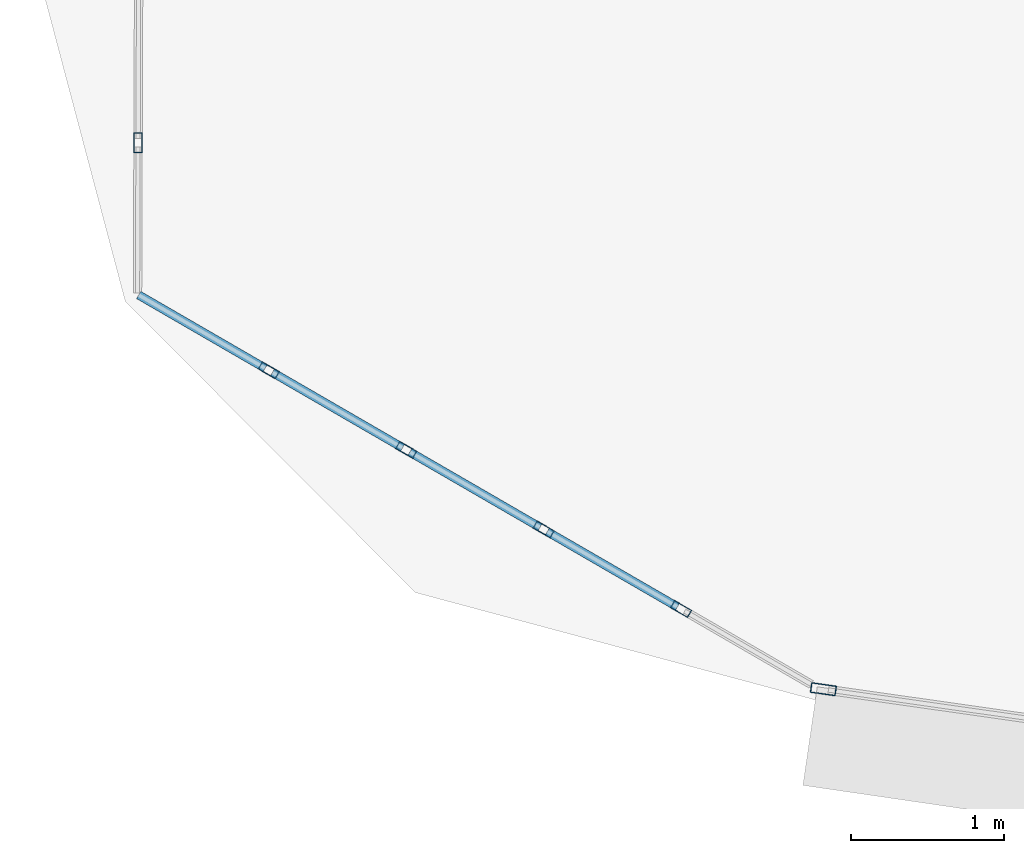
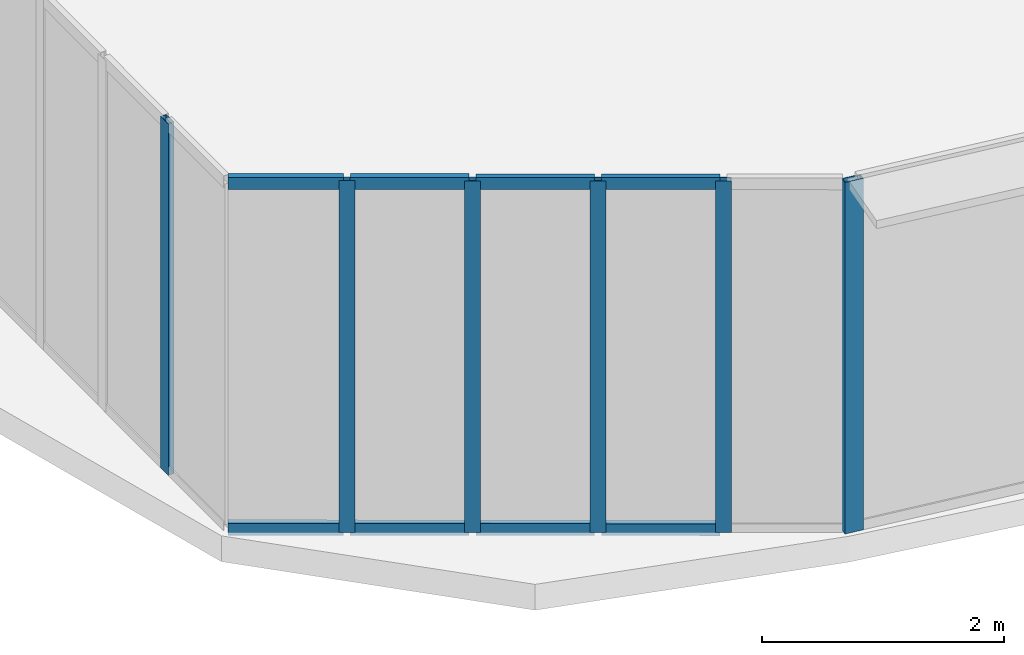
# One storey, part 2 of 39: 14 members, 3 elements without a shape of their own.
"""IFC4 building model written with IfcOpenShell, lengths in metres."""

from ifc_helpers import new_model, si_unit, direction, frame, origin, origin_2d, place, context, subcontext, project, spatial, hollow_rectangle, extrude, source, transform, mapped, material, layer, layer_set, material_profile, profile_set, type_object, element, aggregate, save


model = new_model("IFC4")

# Units and contexts
model_context = context("Model", 3, precision=1e-05, world=origin(), true_north=direction((0.0, 1.0)))
body_context = subcontext(model_context, "Body", "Model", "MODEL_VIEW")
ifc_project = project(units=[si_unit("LENGTHUNIT", "METRE"), si_unit("AREAUNIT", "SQUARE_METRE"), si_unit("VOLUMEUNIT", "CUBIC_METRE"), si_unit("PLANEANGLEUNIT", "RADIAN"), si_unit("MASSUNIT", "GRAM", prefix="KILO"), si_unit("THERMODYNAMICTEMPERATUREUNIT", "KELVIN"), si_unit("POWERUNIT", "WATT")], contexts=[model_context])

# Site, building, storey
site_placement = place(None, origin())
site = spatial("IfcSite", under=ifc_project, at=site_placement, CompositionType="ELEMENT")
building_placement = place(site_placement, origin())
building = spatial("IfcBuilding", under=site, at=building_placement, Name="Yunzhuo Pagoda Commons", CompositionType="ELEMENT")
storey_placement = place(building_placement, frame((0.0, 0.0, 96.3798828125)))
storey = spatial("IfcBuildingStorey", under=building, at=storey_placement, Name="L24", CompositionType="ELEMENT", Elevation=96.3798828125)

# Curtain wall, member
ifc_material = material(Name="Anodized aluminium 6063-T6", Category="aluminium")
ifc_layer_1 = layer(ifc_material, 0.1650390625)
ifc_layer_set_1 = layer_set([ifc_layer_1], Name="Anodized aluminium 6063-T6")
curtain_wall_type_1 = type_object("IfcCurtainWallType", Name="CW-LOW Low-Zone Ribbon Curtain Wall", PredefinedType="NOTDEFINED", material=ifc_layer_set_1)
curtain_wall_1_placement = place(storey_placement, origin())
curtain_wall_1 = element("IfcCurtainWall", 1, at=curtain_wall_1_placement, inside=storey, type_object=curtain_wall_type_1, Name="L24 curtain wall CW-L24-F1B1", PredefinedType="NOTDEFINED")
ifc_material_profile_1 = material_profile(ifc_material, hollow_rectangle(XDim=0.06494140625, YDim=0.1650390625, WallThickness=0.00390625, at=origin_2d()), Name="Anodized aluminium 6063-T6")
ifc_profile_set_1 = profile_set([ifc_material_profile_1], Name="Anodized aluminium 6063-T6")
member_type_1 = type_object("IfcMemberType", Name="CW-LOW-M Mullion RHS 165x65x4", PredefinedType="MULLION", material=ifc_profile_set_1)
shared_shape_1 = source(origin(), body_context, "Body", "SweptSolid", [
    extrude(hollow_rectangle(XDim=0.06494140625, YDim=0.1650390625, WallThickness=0.00390625, at=origin_2d()), origin(), (0.0, 0.0, 1.0), 3.5400390625),
])
member_1_placement = place(storey_placement, frame((10.7119140625, 15.32568359375, 0.0), z_axis=(0.0, 0.0, 1.0), x_axis=(0.140773671614, 0.990041803855, 0.0)))
member_1 = element("IfcMember", 2, at=member_1_placement, type_object=member_type_1, Name="CW mullion 1", PredefinedType="MULLION", context=body_context, shape_type="MappedRepresentation", body=[
    mapped(shared_shape_1, transform((0.0, 0.0, 0.0), scale=1.0)),
])
aggregate(curtain_wall_1, [member_1])

ifc_layer_2 = layer(ifc_material, 0.1298828125)
ifc_layer_set_2 = layer_set([ifc_layer_2], Name="Anodized aluminium 6063-T6")
curtain_wall_type_2 = type_object("IfcCurtainWallType", Name="CW-VTX Rounded Corner Curtain Wall", PredefinedType="NOTDEFINED", material=ifc_layer_set_2)
curtain_wall_2_placement = place(storey_placement, origin())
curtain_wall_2 = element("IfcCurtainWall", 3, at=curtain_wall_2_placement, inside=storey, type_object=curtain_wall_type_2, Name="L24 curtain wall CW-L24-VTX1S1", PredefinedType="NOTDEFINED")
ifc_material_profile_2 = material_profile(ifc_material, hollow_rectangle(XDim=0.054931640625, YDim=0.1298828125, WallThickness=0.00341796875, at=origin_2d()), Name="Anodized aluminium 6063-T6")
ifc_profile_set_2 = profile_set([ifc_material_profile_2], Name="Anodized aluminium 6063-T6")
member_type_2 = type_object("IfcMemberType", Name="CW-VTX-M Mullion RHS 130x55x3.5", PredefinedType="MULLION", material=ifc_profile_set_2)
shared_shape_2 = source(origin(), body_context, "Body", "SweptSolid", [
    extrude(hollow_rectangle(XDim=0.054931640625, YDim=0.1298828125, WallThickness=0.00341796875, at=origin_2d()), origin(), (0.0, 0.0, 1.0), 3.5400390625),
])
member_2_placement = place(storey_placement, frame((6.242431640625, 18.89013671875, 0.0), z_axis=(0.0, 0.0, 1.0), x_axis=(0.999993616843, -0.003572992237, 0.0)))
member_2 = element("IfcMember", 4, at=member_2_placement, type_object=member_type_2, Name="CW mullion 5", PredefinedType="MULLION", context=body_context, shape_type="MappedRepresentation", body=[
    mapped(shared_shape_2, transform((0.0, 0.0, 0.0), scale=1.0)),
])
aggregate(curtain_wall_2, [member_2])

# Curtain wall, members
curtain_wall_3_placement = place(storey_placement, origin())
curtain_wall_3 = element("IfcCurtainWall", 5, at=curtain_wall_3_placement, inside=storey, type_object=curtain_wall_type_2, Name="L24 curtain wall CW-L24-VTX1S2", PredefinedType="NOTDEFINED")
member_3_placement = place(storey_placement, frame((7.094970703125, 17.4052734375, 0.0), z_axis=(0.0, 0.0, 1.0), x_axis=(0.501035509214, 0.865426726249, 0.0)))
member_3 = element("IfcMember", 6, at=member_3_placement, type_object=member_type_2, Name="CW mullion 2", PredefinedType="MULLION", context=body_context, shape_type="MappedRepresentation", body=[
    mapped(shared_shape_2, transform((0.0, 0.0, 0.0), scale=1.0)),
])
member_4_placement = place(storey_placement, frame((7.9912109375, 16.886474609375, 0.0), z_axis=(0.0, 0.0, 1.0), x_axis=(0.501035509214, 0.865426726249, 0.0)))
member_4 = element("IfcMember", 7, at=member_4_placement, type_object=member_type_2, Name="CW mullion 3", PredefinedType="MULLION", context=body_context, shape_type="MappedRepresentation", body=[
    mapped(shared_shape_2, transform((0.0, 0.0, 0.0), scale=1.0)),
])
member_5_placement = place(storey_placement, frame((8.887451171875, 16.36767578125, 0.0), z_axis=(0.0, 0.0, 1.0), x_axis=(0.501035509214, 0.865426726249, 0.0)))
member_5 = element("IfcMember", 8, at=member_5_placement, type_object=member_type_2, Name="CW mullion 4", PredefinedType="MULLION", context=body_context, shape_type="MappedRepresentation", body=[
    mapped(shared_shape_2, transform((0.0, 0.0, 0.0), scale=1.0)),
])
member_6_placement = place(storey_placement, frame((9.78369140625, 15.8486328125, 0.0), z_axis=(0.0, 0.0, 1.0), x_axis=(0.501035509214, 0.865426726249, 0.0)))
member_6 = element("IfcMember", 9, at=member_6_placement, type_object=member_type_2, Name="CW mullion 5", PredefinedType="MULLION", context=body_context, shape_type="MappedRepresentation", body=[
    mapped(shared_shape_2, transform((0.0, 0.0, 0.0), scale=1.0)),
])
ifc_material_profile_3 = material_profile(ifc_material, hollow_rectangle(XDim=0.054931640625, YDim=0.1201171875, WallThickness=0.00341796875, at=origin_2d()), Name="Anodized aluminium 6063-T6")
ifc_profile_set_3 = profile_set([ifc_material_profile_3], Name="Anodized aluminium 6063-T6")
member_type_3 = type_object("IfcMemberType", Name="CW-VTX-T Transom RHS 120x55x3.5", PredefinedType="USERDEFINED", material=ifc_profile_set_3)
shared_shape_3 = source(origin(), body_context, "Body", "SweptSolid", [
    extrude(hollow_rectangle(XDim=0.054931640625, YDim=0.1201171875, WallThickness=0.00341796875, at=origin_2d()), origin(), (0.0, 0.0, 1.0), 0.980224609375),
])
member_7_placement = place(storey_placement, frame((7.119140625, 17.3916015625, 0.027587890625), z_axis=(0.865409234617, -0.501065720878, 0.0), x_axis=(0.501065720878, 0.865409234617, 0.0)))
member_7 = element("IfcMember", 10, at=member_7_placement, type_object=member_type_3, Name="CW transom 2.1", ObjectType="TRANSOM", PredefinedType="USERDEFINED", context=body_context, shape_type="MappedRepresentation", body=[
    mapped(shared_shape_3, transform((0.0, 0.0, 0.0), scale=1.0)),
])
member_8_placement = place(storey_placement, frame((7.119140625, 17.3916015625, 3.5126953125), z_axis=(0.865409234617, -0.501065720878, 0.0), x_axis=(0.501065720878, 0.865409234617, 0.0)))
member_8 = element("IfcMember", 11, at=member_8_placement, type_object=member_type_3, Name="CW transom 2.2", ObjectType="TRANSOM", PredefinedType="USERDEFINED", context=body_context, shape_type="MappedRepresentation", body=[
    mapped(shared_shape_3, transform((0.0, 0.0, 0.0), scale=1.0)),
])
member_9_placement = place(storey_placement, frame((8.01513671875, 16.87255859375, 0.027587890625), z_axis=(0.865409234617, -0.501065720878, 0.0), x_axis=(0.501065720878, 0.865409234617, 0.0)))
member_9 = element("IfcMember", 12, at=member_9_placement, type_object=member_type_3, Name="CW transom 3.1", ObjectType="TRANSOM", PredefinedType="USERDEFINED", context=body_context, shape_type="MappedRepresentation", body=[
    mapped(shared_shape_3, transform((0.0, 0.0, 0.0), scale=1.0)),
])
member_10_placement = place(storey_placement, frame((8.01513671875, 16.87255859375, 3.5126953125), z_axis=(0.865409234617, -0.501065720878, 0.0), x_axis=(0.501065720878, 0.865409234617, 0.0)))
member_10 = element("IfcMember", 13, at=member_10_placement, type_object=member_type_3, Name="CW transom 3.2", ObjectType="TRANSOM", PredefinedType="USERDEFINED", context=body_context, shape_type="MappedRepresentation", body=[
    mapped(shared_shape_3, transform((0.0, 0.0, 0.0), scale=1.0)),
])
shared_shape_4 = source(origin(), body_context, "Body", "SweptSolid", [
    extrude(hollow_rectangle(XDim=0.054931640625, YDim=0.1201171875, WallThickness=0.00341796875, at=origin_2d()), origin(), (0.0, 0.0, 1.0), 0.98046875),
])
member_11_placement = place(storey_placement, frame((8.9111328125, 16.353759765625, 0.027587890625), z_axis=(0.865471739755, -0.500957750399, 0.0), x_axis=(0.500957750399, 0.865471739755, 0.0)))
member_11 = element("IfcMember", 14, at=member_11_placement, type_object=member_type_3, Name="CW transom 4.1", ObjectType="TRANSOM", PredefinedType="USERDEFINED", context=body_context, shape_type="MappedRepresentation", body=[
    mapped(shared_shape_4, transform((0.0, 0.0, 0.0), scale=1.0)),
])
member_12_placement = place(storey_placement, frame((8.9111328125, 16.353759765625, 3.5126953125), z_axis=(0.865471739755, -0.500957750399, 0.0), x_axis=(0.500957750399, 0.865471739755, 0.0)))
member_12 = element("IfcMember", 15, at=member_12_placement, type_object=member_type_3, Name="CW transom 4.2", ObjectType="TRANSOM", PredefinedType="USERDEFINED", context=body_context, shape_type="MappedRepresentation", body=[
    mapped(shared_shape_4, transform((0.0, 0.0, 0.0), scale=1.0)),
])
shared_shape_5 = source(origin(), body_context, "Body", "SweptSolid", [
    extrude(hollow_rectangle(XDim=0.054931640625, YDim=0.1201171875, WallThickness=0.00341796875, at=origin_2d()), origin(), (0.0, 0.0, 1.0), 0.952880859375),
])
member_13_placement = place(storey_placement, frame((6.24658203125, 17.896484375, 0.027587890625), z_axis=(0.865391204156, -0.501096860666, 0.0), x_axis=(0.501096860666, 0.865391204156, 0.0)))
member_13 = element("IfcMember", 16, at=member_13_placement, type_object=member_type_3, Name="CW transom 1.1", ObjectType="TRANSOM", PredefinedType="USERDEFINED", context=body_context, shape_type="MappedRepresentation", body=[
    mapped(shared_shape_5, transform((0.0, 0.0, 0.0), scale=1.0)),
])
member_14_placement = place(storey_placement, frame((6.24658203125, 17.896484375, 3.5126953125), z_axis=(0.865391204156, -0.501096860666, 0.0), x_axis=(0.501096860666, 0.865391204156, 0.0)))
member_14 = element("IfcMember", 17, at=member_14_placement, type_object=member_type_3, Name="CW transom 1.2", ObjectType="TRANSOM", PredefinedType="USERDEFINED", context=body_context, shape_type="MappedRepresentation", body=[
    mapped(shared_shape_5, transform((0.0, 0.0, 0.0), scale=1.0)),
])
aggregate(curtain_wall_3, [member_3, member_4, member_5, member_6, member_13, member_14, member_7, member_8, member_9, member_10, member_11, member_12])

save(model, "model.ifc")
